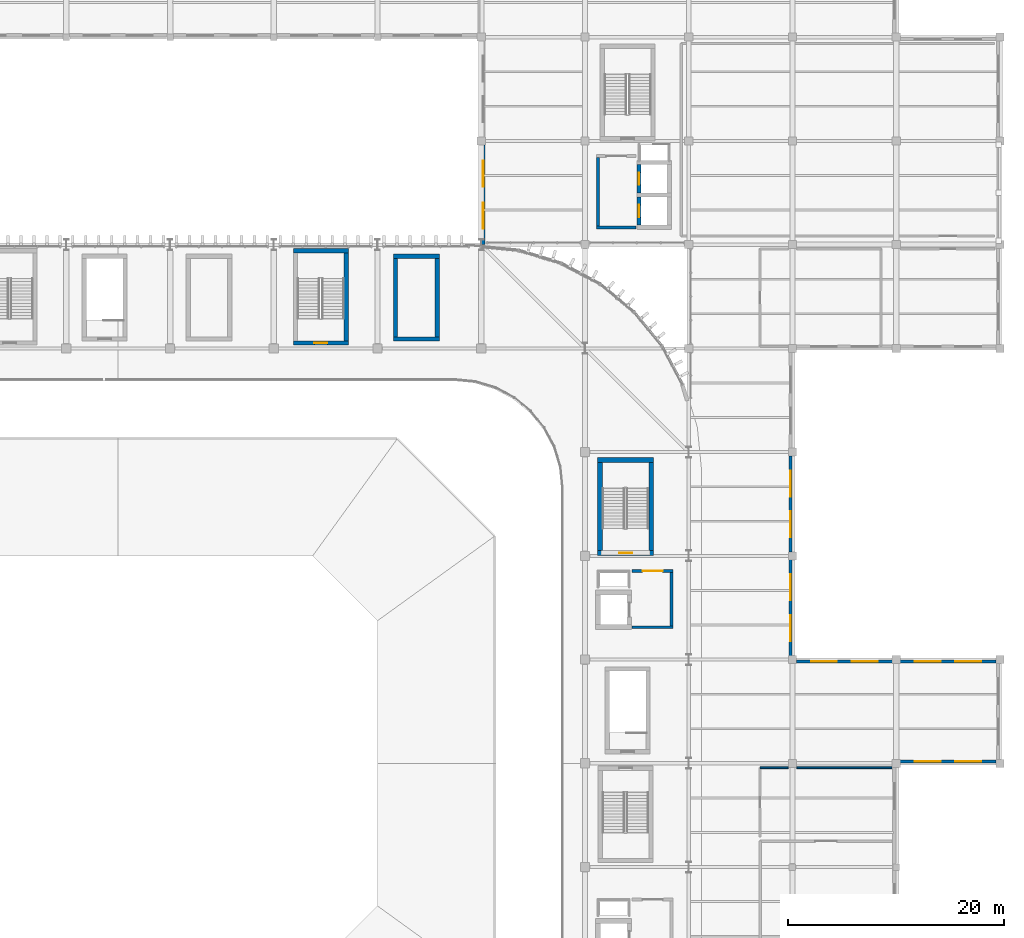
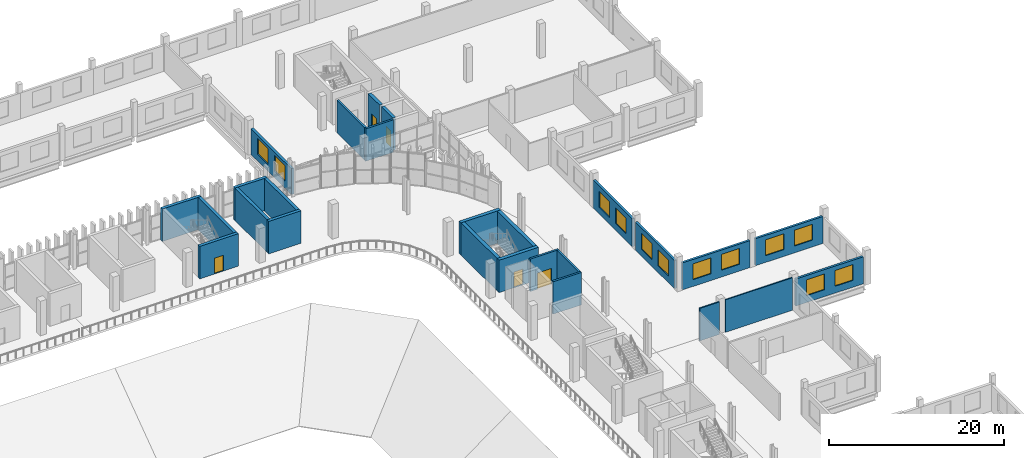
# One storey, part 65 of 99: 26 walls, 12 windows, 5 doors, 17 openings.
"""IFC4 building model written with IfcOpenShell, lengths in metres."""

from ifc_helpers import new_model, si_unit, direction, frame, frame_2d, origin, place, context, subcontext, project, spatial, rectangle, extrude, material, layer, layer_set, type_object, element, fill, save


model = new_model("IFC4")

# Units and contexts
model_context = context("Model", 3, precision=1e-05, world=origin(), true_north=direction((0.0, 1.0)))
body_context = subcontext(model_context, "Body", "Model", "MODEL_VIEW")
ifc_project = project(units=[si_unit("LENGTHUNIT", "METRE"), si_unit("AREAUNIT", "SQUARE_METRE"), si_unit("VOLUMEUNIT", "CUBIC_METRE"), si_unit("PLANEANGLEUNIT", "RADIAN"), si_unit("MASSUNIT", "GRAM", prefix="KILO")], contexts=[model_context])

# Site, building, storey
site_placement = place(None, origin())
site = spatial("IfcSite", under=ifc_project, at=site_placement, CompositionType="ELEMENT")
building_placement = place(site_placement, origin())
building = spatial("IfcBuilding", under=site, at=building_placement, Name="Caelomonte Colonnade Arena", CompositionType="ELEMENT")
storey_placement = place(building_placement, frame((0.0, 0.0, 4.800048828125)))
storey = spatial("IfcBuildingStorey", under=building, at=storey_placement, Name="L01", CompositionType="ELEMENT", Elevation=4.800048828125)

# Wall, openings, windows
ifc_material_1 = material(Name="Precast concrete C40/50", Category="concrete")
ifc_layer_1 = layer(ifc_material_1, 0.2900390625)
ifc_layer_set_1 = layer_set([ifc_layer_1], Name="Precast concrete C40/50")
wall_type_1 = type_object("IfcWallType", Name="ENV-WL-EXT29", PredefinedType="SOLIDWALL", material=ifc_layer_set_1)
wall_1_placement = place(storey_placement, frame((182.7548828125, 67.3798828125, 0.0), z_axis=(0.0, 0.0, 1.0), x_axis=(1.0, 0.0, 0.0)))
wall_1 = element("IfcWall", 1, at=wall_1_placement, inside=storey, type_object=wall_type_1, Name="L01 exterior wall EW-L01-0193", PredefinedType="SOLIDWALL", context=body_context, shape_type="SweptSolid", body=[
    extrude(rectangle(XDim=8.89013671875, YDim=0.2900390625, at=frame_2d((4.445068359375, 0.0))), origin(), (0.0, 0.0, 1.0), 3.758056640625),
])
opening_1_placement = place(wall_1_placement, frame((3.76318359375, 0.0, 0.949951171875), z_axis=(0.0, 0.0, 1.0), x_axis=(-1.0, 0.0, 0.0)))
opening_1 = element("IfcOpeningElement", 2, at=opening_1_placement, cuts=wall_1, Name="Opening WN-04", PredefinedType="OPENING", context=body_context, shape_type="SweptSolid", body=[
    extrude(rectangle(XDim=2.39990234375, YDim=2.199951171875, at=frame_2d((1.199951171875, 1.10009765625))), frame((0.0, 0.155029296875, 0.0), z_axis=(0.0, -1.0, 0.0), x_axis=(1.0, 0.0, 0.0)), (0.0, 0.0, 1.0), 0.31005859375),
])
opening_2_placement = place(wall_1_placement, frame((7.526611328125, 0.0, 0.949951171875), z_axis=(0.0, 0.0, 1.0), x_axis=(-1.0, 0.0, 0.0)))
opening_2 = element("IfcOpeningElement", 3, at=opening_2_placement, cuts=wall_1, Name="Opening WN-04", PredefinedType="OPENING", context=body_context, shape_type="SweptSolid", body=[
    extrude(rectangle(XDim=2.39990234375, YDim=2.199951171875, at=frame_2d((1.199951171875, 1.10009765625))), frame((0.0, 0.155029296875, 0.0), z_axis=(0.0, -1.0, 0.0), x_axis=(1.0, 0.0, 0.0)), (0.0, 0.0, 1.0), 0.31005859375),
])
ifc_material_2 = material(Name="Solar-control bronze low-E double glazing", Category="glass")
window_type = type_object("IfcWindowType", Name="ENV-WN-V4A", PartitioningType="DOUBLE_PANEL_VERTICAL", PredefinedType="WINDOW", material=ifc_material_2)
window_1_placement = place(opening_1_placement, origin())
window_1 = element("IfcWindow", 4, at=window_1_placement, inside=storey, type_object=window_type, Name="L01 facade window 86", OverallHeight=2.199951171875, OverallWidth=2.39990234375, PartitioningType="SINGLE_PANEL", PredefinedType="WINDOW", context=body_context, shape_type="SweptSolid", body=[
    extrude(rectangle(XDim=2.39990234375, YDim=2.199951171875, at=frame_2d((1.199951171875, 1.10009765625))), frame((0.0, 0.030029296875, 0.0), z_axis=(0.0, -1.0, 0.0), x_axis=(1.0, 0.0, 0.0)), (0.0, 0.0, 1.0), 0.06005859375),
])
fill(opening_1, window_1)
window_2_placement = place(opening_2_placement, origin())
window_2 = element("IfcWindow", 5, at=window_2_placement, inside=storey, type_object=window_type, Name="L01 facade window 87", OverallHeight=2.199951171875, OverallWidth=2.39990234375, PartitioningType="SINGLE_PANEL", PredefinedType="WINDOW", context=body_context, shape_type="SweptSolid", body=[
    extrude(rectangle(XDim=2.39990234375, YDim=2.199951171875, at=frame_2d((1.199951171875, 1.10009765625))), frame((0.0, 0.030029296875, 0.0), z_axis=(0.0, -1.0, 0.0), x_axis=(1.0, 0.0, 0.0)), (0.0, 0.0, 1.0), 0.06005859375),
])
fill(opening_2, window_2)

wall_2_placement = place(storey_placement, frame((191.64501953125, 76.6201171875, 0.0), z_axis=(0.0, 0.0, 1.0), x_axis=(-1.0, 0.0, 0.0)))
wall_2 = element("IfcWall", 6, at=wall_2_placement, inside=storey, type_object=wall_type_1, Name="L01 exterior wall EW-L01-0195", PredefinedType="SOLIDWALL", context=body_context, shape_type="SweptSolid", body=[
    extrude(rectangle(XDim=8.89013671875, YDim=0.2900390625, at=frame_2d((4.445068359375, 0.0))), origin(), (0.0, 0.0, 1.0), 3.758056640625),
])
opening_3_placement = place(wall_2_placement, frame((3.76318359375, 0.0, 0.949951171875), z_axis=(0.0, 0.0, 1.0), x_axis=(-1.0, 0.0, 0.0)))
opening_3 = element("IfcOpeningElement", 7, at=opening_3_placement, cuts=wall_2, Name="Opening WN-04", PredefinedType="OPENING", context=body_context, shape_type="SweptSolid", body=[
    extrude(rectangle(XDim=2.39990234375, YDim=2.199951171875, at=frame_2d((1.199951171875, 1.10009765625))), frame((0.0, 0.155029296875, 0.0), z_axis=(0.0, -1.0, 0.0), x_axis=(1.0, 0.0, 0.0)), (0.0, 0.0, 1.0), 0.31005859375),
])
opening_4_placement = place(wall_2_placement, frame((7.526611328125, 0.0, 0.949951171875), z_axis=(0.0, 0.0, 1.0), x_axis=(-1.0, 0.0, 0.0)))
opening_4 = element("IfcOpeningElement", 8, at=opening_4_placement, cuts=wall_2, Name="Opening WN-04", PredefinedType="OPENING", context=body_context, shape_type="SweptSolid", body=[
    extrude(rectangle(XDim=2.39990234375, YDim=2.199951171875, at=frame_2d((1.199951171875, 1.10009765625))), frame((0.0, 0.155029296875, 0.0), z_axis=(0.0, -1.0, 0.0), x_axis=(1.0, 0.0, 0.0)), (0.0, 0.0, 1.0), 0.31005859375),
])
window_3_placement = place(opening_3_placement, origin())
window_3 = element("IfcWindow", 9, at=window_3_placement, inside=storey, type_object=window_type, Name="L01 facade window 90", OverallHeight=2.199951171875, OverallWidth=2.39990234375, PartitioningType="SINGLE_PANEL", PredefinedType="WINDOW", context=body_context, shape_type="SweptSolid", body=[
    extrude(rectangle(XDim=2.39990234375, YDim=2.199951171875, at=frame_2d((1.199951171875, 1.10009765625))), frame((0.0, 0.030029296875, 0.0), z_axis=(0.0, -1.0, 0.0), x_axis=(1.0, 0.0, 0.0)), (0.0, 0.0, 1.0), 0.06005859375),
])
fill(opening_3, window_3)
window_4_placement = place(opening_4_placement, origin())
window_4 = element("IfcWindow", 10, at=window_4_placement, inside=storey, type_object=window_type, Name="L01 facade window 91", OverallHeight=2.199951171875, OverallWidth=2.39990234375, PartitioningType="SINGLE_PANEL", PredefinedType="WINDOW", context=body_context, shape_type="SweptSolid", body=[
    extrude(rectangle(XDim=2.39990234375, YDim=2.199951171875, at=frame_2d((1.199951171875, 1.10009765625))), frame((0.0, 0.030029296875, 0.0), z_axis=(0.0, -1.0, 0.0), x_axis=(1.0, 0.0, 0.0)), (0.0, 0.0, 1.0), 0.06005859375),
])
fill(opening_4, window_4)

wall_3_placement = place(storey_placement, frame((182.044921875, 76.6201171875, 0.0), z_axis=(0.0, 0.0, 1.0), x_axis=(-1.0, 0.0, 0.0)))
wall_3 = element("IfcWall", 11, at=wall_3_placement, inside=storey, type_object=wall_type_1, Name="L01 exterior wall EW-L01-0196", PredefinedType="SOLIDWALL", context=body_context, shape_type="SweptSolid", body=[
    extrude(rectangle(XDim=8.889892578125, YDim=0.2900390625, at=frame_2d((4.44482421875, 0.0))), origin(), (0.0, 0.0, 1.0), 3.758056640625),
])
opening_5_placement = place(wall_3_placement, frame((3.76318359375, 0.0, 0.949951171875), z_axis=(0.0, 0.0, 1.0), x_axis=(-1.0, 0.0, 0.0)))
opening_5 = element("IfcOpeningElement", 12, at=opening_5_placement, cuts=wall_3, Name="Opening WN-04", PredefinedType="OPENING", context=body_context, shape_type="SweptSolid", body=[
    extrude(rectangle(XDim=2.39990234375, YDim=2.199951171875, at=frame_2d((1.199951171875, 1.10009765625))), frame((0.0, 0.155029296875, 0.0), z_axis=(0.0, -1.0, 0.0), x_axis=(1.0, 0.0, 0.0)), (0.0, 0.0, 1.0), 0.31005859375),
])
opening_6_placement = place(wall_3_placement, frame((7.526611328125, 0.0, 0.949951171875), z_axis=(0.0, 0.0, 1.0), x_axis=(-1.0, 0.0, 0.0)))
opening_6 = element("IfcOpeningElement", 13, at=opening_6_placement, cuts=wall_3, Name="Opening WN-04", PredefinedType="OPENING", context=body_context, shape_type="SweptSolid", body=[
    extrude(rectangle(XDim=2.39990234375, YDim=2.199951171875, at=frame_2d((1.199951171875, 1.10009765625))), frame((0.0, 0.155029296875, 0.0), z_axis=(0.0, -1.0, 0.0), x_axis=(1.0, 0.0, 0.0)), (0.0, 0.0, 1.0), 0.31005859375),
])
window_5_placement = place(opening_5_placement, origin())
window_5 = element("IfcWindow", 14, at=window_5_placement, inside=storey, type_object=window_type, Name="L01 facade window 92", OverallHeight=2.199951171875, OverallWidth=2.39990234375, PartitioningType="SINGLE_PANEL", PredefinedType="WINDOW", context=body_context, shape_type="SweptSolid", body=[
    extrude(rectangle(XDim=2.39990234375, YDim=2.199951171875, at=frame_2d((1.199951171875, 1.10009765625))), frame((0.0, 0.030029296875, 0.0), z_axis=(0.0, -1.0, 0.0), x_axis=(1.0, 0.0, 0.0)), (0.0, 0.0, 1.0), 0.06005859375),
])
fill(opening_5, window_5)
window_6_placement = place(opening_6_placement, origin())
window_6 = element("IfcWindow", 15, at=window_6_placement, inside=storey, type_object=window_type, Name="L01 facade window 93", OverallHeight=2.199951171875, OverallWidth=2.39990234375, PartitioningType="SINGLE_PANEL", PredefinedType="WINDOW", context=body_context, shape_type="SweptSolid", body=[
    extrude(rectangle(XDim=2.39990234375, YDim=2.199951171875, at=frame_2d((1.199951171875, 1.10009765625))), frame((0.0, 0.030029296875, 0.0), z_axis=(0.0, -1.0, 0.0), x_axis=(1.0, 0.0, 0.0)), (0.0, 0.0, 1.0), 0.06005859375),
])
fill(opening_6, window_6)

wall_4_placement = place(storey_placement, frame((172.6201171875, 77.155029296875, 0.0), z_axis=(0.0, 0.0, 1.0), x_axis=(0.0, 1.0, 0.0)))
wall_4 = element("IfcWall", 16, at=wall_4_placement, inside=storey, type_object=wall_type_1, Name="L01 exterior wall EW-L01-0197", PredefinedType="SOLIDWALL", context=body_context, shape_type="SweptSolid", body=[
    extrude(rectangle(XDim=8.889892578125, YDim=0.2900390625, at=frame_2d((4.44482421875, 0.0))), origin(), (0.0, 0.0, 1.0), 3.912841796875),
])
opening_7_placement = place(wall_4_placement, frame((3.76318359375, 0.0, 0.949951171875), z_axis=(0.0, 0.0, 1.0), x_axis=(-1.0, 0.0, 0.0)))
opening_7 = element("IfcOpeningElement", 17, at=opening_7_placement, cuts=wall_4, Name="Opening WN-04", PredefinedType="OPENING", context=body_context, shape_type="SweptSolid", body=[
    extrude(rectangle(XDim=2.39990234375, YDim=2.199951171875, at=frame_2d((1.199951171875, 1.10009765625))), frame((0.0, 0.155029296875, 0.0), z_axis=(0.0, -1.0, 0.0), x_axis=(1.0, 0.0, 0.0)), (0.0, 0.0, 1.0), 0.31005859375),
])
opening_8_placement = place(wall_4_placement, frame((7.526611328125, 0.0, 0.949951171875), z_axis=(0.0, 0.0, 1.0), x_axis=(-1.0, 0.0, 0.0)))
opening_8 = element("IfcOpeningElement", 18, at=opening_8_placement, cuts=wall_4, Name="Opening WN-04", PredefinedType="OPENING", context=body_context, shape_type="SweptSolid", body=[
    extrude(rectangle(XDim=2.39990234375, YDim=2.199951171875, at=frame_2d((1.199951171875, 1.10009765625))), frame((0.0, 0.155029296875, 0.0), z_axis=(0.0, -1.0, 0.0), x_axis=(1.0, 0.0, 0.0)), (0.0, 0.0, 1.0), 0.31005859375),
])
window_7_placement = place(opening_7_placement, origin())
window_7 = element("IfcWindow", 19, at=window_7_placement, inside=storey, type_object=window_type, Name="L01 facade window 94", OverallHeight=2.199951171875, OverallWidth=2.39990234375, PartitioningType="SINGLE_PANEL", PredefinedType="WINDOW", context=body_context, shape_type="SweptSolid", body=[
    extrude(rectangle(XDim=2.39990234375, YDim=2.199951171875, at=frame_2d((1.199951171875, 1.10009765625))), frame((0.0, 0.030029296875, 0.0), z_axis=(0.0, -1.0, 0.0), x_axis=(1.0, 0.0, 0.0)), (0.0, 0.0, 1.0), 0.06005859375),
])
fill(opening_7, window_7)
window_8_placement = place(opening_8_placement, origin())
window_8 = element("IfcWindow", 20, at=window_8_placement, inside=storey, type_object=window_type, Name="L01 facade window 95", OverallHeight=2.199951171875, OverallWidth=2.39990234375, PartitioningType="SINGLE_PANEL", PredefinedType="WINDOW", context=body_context, shape_type="SweptSolid", body=[
    extrude(rectangle(XDim=2.39990234375, YDim=2.199951171875, at=frame_2d((1.199951171875, 1.10009765625))), frame((0.0, 0.030029296875, 0.0), z_axis=(0.0, -1.0, 0.0), x_axis=(1.0, 0.0, 0.0)), (0.0, 0.0, 1.0), 0.06005859375),
])
fill(opening_8, window_8)

wall_5_placement = place(storey_placement, frame((172.6201171875, 86.7548828125, 0.0), z_axis=(0.0, 0.0, 1.0), x_axis=(0.0, 1.0, 0.0)))
wall_5 = element("IfcWall", 21, at=wall_5_placement, inside=storey, type_object=wall_type_1, Name="L01 exterior wall EW-L01-0198", PredefinedType="SOLIDWALL", context=body_context, shape_type="SweptSolid", body=[
    extrude(rectangle(XDim=8.89013671875, YDim=0.2900390625, at=frame_2d((4.445068359375, 0.0))), origin(), (0.0, 0.0, 1.0), 3.912841796875),
])
opening_9_placement = place(wall_5_placement, frame((3.76318359375, 0.0, 0.949951171875), z_axis=(0.0, 0.0, 1.0), x_axis=(-1.0, 0.0, 0.0)))
opening_9 = element("IfcOpeningElement", 22, at=opening_9_placement, cuts=wall_5, Name="Opening WN-04", PredefinedType="OPENING", context=body_context, shape_type="SweptSolid", body=[
    extrude(rectangle(XDim=2.39990234375, YDim=2.199951171875, at=frame_2d((1.199951171875, 1.10009765625))), frame((0.0, 0.155029296875, 0.0), z_axis=(0.0, -1.0, 0.0), x_axis=(1.0, 0.0, 0.0)), (0.0, 0.0, 1.0), 0.31005859375),
])
opening_10_placement = place(wall_5_placement, frame((7.526611328125, 0.0, 0.949951171875), z_axis=(0.0, 0.0, 1.0), x_axis=(-1.0, 0.0, 0.0)))
opening_10 = element("IfcOpeningElement", 23, at=opening_10_placement, cuts=wall_5, Name="Opening WN-04", PredefinedType="OPENING", context=body_context, shape_type="SweptSolid", body=[
    extrude(rectangle(XDim=2.39990234375, YDim=2.199951171875, at=frame_2d((1.199951171875, 1.10009765625))), frame((0.0, 0.155029296875, 0.0), z_axis=(0.0, -1.0, 0.0), x_axis=(1.0, 0.0, 0.0)), (0.0, 0.0, 1.0), 0.31005859375),
])
window_9_placement = place(opening_9_placement, origin())
window_9 = element("IfcWindow", 24, at=window_9_placement, inside=storey, type_object=window_type, Name="L01 facade window 96", OverallHeight=2.199951171875, OverallWidth=2.39990234375, PartitioningType="SINGLE_PANEL", PredefinedType="WINDOW", context=body_context, shape_type="SweptSolid", body=[
    extrude(rectangle(XDim=2.39990234375, YDim=2.199951171875, at=frame_2d((1.199951171875, 1.10009765625))), frame((0.0, 0.030029296875, 0.0), z_axis=(0.0, -1.0, 0.0), x_axis=(1.0, 0.0, 0.0)), (0.0, 0.0, 1.0), 0.06005859375),
])
fill(opening_9, window_9)
window_10_placement = place(opening_10_placement, origin())
window_10 = element("IfcWindow", 25, at=window_10_placement, inside=storey, type_object=window_type, Name="L01 facade window 97", OverallHeight=2.199951171875, OverallWidth=2.39990234375, PartitioningType="SINGLE_PANEL", PredefinedType="WINDOW", context=body_context, shape_type="SweptSolid", body=[
    extrude(rectangle(XDim=2.39990234375, YDim=2.199951171875, at=frame_2d((1.199951171875, 1.10009765625))), frame((0.0, 0.030029296875, 0.0), z_axis=(0.0, -1.0, 0.0), x_axis=(1.0, 0.0, 0.0)), (0.0, 0.0, 1.0), 0.06005859375),
])
fill(opening_10, window_10)

ifc_layer_2 = layer(ifc_material_1, 0.330078125)
ifc_layer_set_2 = layer_set([ifc_layer_2], Name="Precast concrete C40/50")
wall_type_2 = type_object("IfcWallType", Name="ENV-WL-EXT33", PredefinedType="SOLIDWALL", material=ifc_layer_set_2)
wall_6_placement = place(storey_placement, frame((144.179931640625, 124.445068359375, 0.0), z_axis=(0.0, 0.0, 1.0), x_axis=(0.0, -1.0, 0.0)))
wall_6 = element("IfcWall", 26, at=wall_6_placement, inside=storey, type_object=wall_type_2, Name="L01 exterior wall EW-L01-0234", PredefinedType="SOLIDWALL", context=body_context, shape_type="SweptSolid", body=[
    extrude(rectangle(XDim=9.2451171875, YDim=0.330078125, at=frame_2d((4.62255859375, 0.0))), origin(), (0.0, 0.0, 1.0), 3.593017578125),
])
opening_11_placement = place(wall_6_placement, frame((3.881591796875, 0.0, 0.949951171875), z_axis=(0.0, 0.0, 1.0), x_axis=(-1.0, 0.0, 0.0)))
opening_11 = element("IfcOpeningElement", 27, at=opening_11_placement, cuts=wall_6, Name="Opening WN-04", PredefinedType="OPENING", context=body_context, shape_type="SweptSolid", body=[
    extrude(rectangle(XDim=2.39990234375, YDim=2.199951171875, at=frame_2d((1.199951171875, 1.10009765625))), frame((0.0, 0.175048828125, 0.0), z_axis=(0.0, -1.0, 0.0), x_axis=(1.0, 0.0, 0.0)), (0.0, 0.0, 1.0), 0.35009765625),
])
opening_12_placement = place(wall_6_placement, frame((7.76318359375, 0.0, 0.949951171875), z_axis=(0.0, 0.0, 1.0), x_axis=(-1.0, 0.0, 0.0)))
opening_12 = element("IfcOpeningElement", 28, at=opening_12_placement, cuts=wall_6, Name="Opening WN-04", PredefinedType="OPENING", context=body_context, shape_type="SweptSolid", body=[
    extrude(rectangle(XDim=2.39990234375, YDim=2.199951171875, at=frame_2d((1.199951171875, 1.10009765625))), frame((0.0, 0.175048828125, 0.0), z_axis=(0.0, -1.0, 0.0), x_axis=(1.0, 0.0, 0.0)), (0.0, 0.0, 1.0), 0.35009765625),
])
window_11_placement = place(opening_11_placement, origin())
window_11 = element("IfcWindow", 29, at=window_11_placement, inside=storey, type_object=window_type, Name="L01 facade window 151", OverallHeight=2.199951171875, OverallWidth=2.39990234375, PartitioningType="SINGLE_PANEL", PredefinedType="WINDOW", context=body_context, shape_type="SweptSolid", body=[
    extrude(rectangle(XDim=2.39990234375, YDim=2.199951171875, at=frame_2d((1.199951171875, 1.10009765625))), frame((0.0, 0.030029296875, 0.0), z_axis=(0.0, -1.0, 0.0), x_axis=(1.0, 0.0, 0.0)), (0.0, 0.0, 1.0), 0.06005859375),
])
fill(opening_11, window_11)
window_12_placement = place(opening_12_placement, origin())
window_12 = element("IfcWindow", 30, at=window_12_placement, inside=storey, type_object=window_type, Name="L01 facade window 152", OverallHeight=2.199951171875, OverallWidth=2.39990234375, PartitioningType="SINGLE_PANEL", PredefinedType="WINDOW", context=body_context, shape_type="SweptSolid", body=[
    extrude(rectangle(XDim=2.39990234375, YDim=2.199951171875, at=frame_2d((1.199951171875, 1.10009765625))), frame((0.0, 0.030029296875, 0.0), z_axis=(0.0, -1.0, 0.0), x_axis=(1.0, 0.0, 0.0)), (0.0, 0.0, 1.0), 0.06005859375),
])
fill(opening_12, window_12)

# Wall
ifc_material_3 = material(Name="Concrete C40/50", Category="concrete")
ifc_layer_3 = layer(ifc_material_3, 0.260009765625)
ifc_layer_set_3 = layer_set([ifc_layer_3], Name="Concrete C40/50")
wall_type_3 = type_object("IfcWallType", Name="INT-WL-FW26", PredefinedType="SOLIDWALL", material=ifc_layer_set_3)
wall_7_placement = place(storey_placement, frame((157.969970703125, 79.800048828125, 0.0), z_axis=(0.0, 0.0, 1.0), x_axis=(1.0, 0.0, 0.0)))
element("IfcWall", 31, at=wall_7_placement, inside=storey, type_object=wall_type_3, Name="FW-C3-LB L01 south enclosure wall", PredefinedType="SOLIDWALL", context=body_context, shape_type="SweptSolid", body=[
    extrude(rectangle(XDim=3.760009765625, YDim=0.260009765625, at=frame_2d((1.8798828125, 0.0))), origin(), (0.0, 0.0, 1.0), 4.52001953125),
])

# Wall, opening, door
wall_8_placement = place(storey_placement, frame((161.72998046875, 85.0, 0.0), z_axis=(0.0, 0.0, 1.0), x_axis=(-1.0, 0.0, 0.0)))
wall_8 = element("IfcWall", 32, at=wall_8_placement, inside=storey, type_object=wall_type_3, Name="FW-C3-LB L01 north enclosure wall", PredefinedType="SOLIDWALL", context=body_context, shape_type="SweptSolid", body=[
    extrude(rectangle(XDim=3.760009765625, YDim=0.260009765625, at=frame_2d((1.8798828125, 0.0))), origin(), (0.0, 0.0, 1.0), 4.52001953125),
])
opening_13_placement = place(wall_8_placement, frame((2.80517578125, 0.0, 0.0), z_axis=(0.0, 0.0, 1.0), x_axis=(-1.0, 0.0, 0.0)))
opening_13 = element("IfcOpeningElement", 33, at=opening_13_placement, cuts=wall_8, Name="Opening FD-2", PredefinedType="OPENING", context=body_context, shape_type="SweptSolid", body=[
    extrude(rectangle(XDim=1.85009765625, YDim=2.25, at=frame_2d((0.925048828125, 1.125))), frame((0.0, 0.139892578125, 0.0), z_axis=(0.0, -1.0, 0.0), x_axis=(1.0, 0.0, 0.0)), (0.0, 0.0, 1.0), 0.280029296875),
])
ifc_material_4 = material(Name="Fire-rated double steel door", Category="steel")
door_type_1 = type_object("IfcDoorType", Name="INT-DR-FD90B", OperationType="DOUBLE_DOOR_SINGLE_SWING", PredefinedType="DOOR", material=ifc_material_4)
door_1_placement = place(opening_13_placement, origin())
door_1 = element("IfcDoor", 34, at=door_1_placement, inside=storey, type_object=door_type_1, Name="Core C3 L01 lobby fire door", OperationType="DOUBLE_DOOR_SINGLE_SWING", OverallHeight=2.25, OverallWidth=1.85009765625, PredefinedType="DOOR", context=body_context, shape_type="SweptSolid", body=[
    extrude(rectangle(XDim=1.85009765625, YDim=2.25, at=frame_2d((0.925048828125, 1.125))), frame((0.0, 0.02490234375, 0.0), z_axis=(0.0, -1.0, 0.0), x_axis=(1.0, 0.0, 0.0)), (0.0, 0.0, 1.0), 0.050048828125),
])
fill(opening_13, door_1)

# Walls
wall_9_placement = place(storey_placement, frame((161.60009765625, 79.929931640625, 0.0), z_axis=(0.0, 0.0, 1.0), x_axis=(0.0, 1.0, 0.0)))
element("IfcWall", 35, at=wall_9_placement, inside=storey, type_object=wall_type_3, Name="FW-C3-LB L01 east enclosure wall", PredefinedType="SOLIDWALL", context=body_context, shape_type="SweptSolid", body=[
    extrude(rectangle(XDim=4.940185546875, YDim=0.260009765625, at=frame_2d((2.47021484375, 0.0))), origin(), (0.0, 0.0, 1.0), 4.52001953125),
])
wall_10_placement = place(storey_placement, frame((154.669921875, 116.800048828125, 0.0), z_axis=(0.0, 0.0, 1.0), x_axis=(1.0, 0.0, 0.0)))
element("IfcWall", 36, at=wall_10_placement, inside=storey, type_object=wall_type_3, Name="FW-C6-LB L01 south enclosure wall", PredefinedType="SOLIDWALL", context=body_context, shape_type="SweptSolid", body=[
    extrude(rectangle(XDim=3.66015625, YDim=0.260009765625, at=frame_2d((1.830078125, 0.0))), origin(), (0.0, 0.0, 1.0), 4.52001953125),
])
wall_11_placement = place(storey_placement, frame((154.800048828125, 123.27001953125, 0.0), z_axis=(0.0, 0.0, 1.0), x_axis=(0.0, -1.0, 0.0)))
element("IfcWall", 37, at=wall_11_placement, inside=storey, type_object=wall_type_3, Name="FW-C6-LB L01 west enclosure wall", PredefinedType="SOLIDWALL", context=body_context, shape_type="SweptSolid", body=[
    extrude(rectangle(XDim=6.340087890625, YDim=0.260009765625, at=frame_2d((3.169921875, 0.0))), origin(), (0.0, 0.0, 1.0), 4.52001953125),
])
ifc_material_5 = material(Name="Moisture-resistant WC partition")
ifc_layer_4 = layer(ifc_material_5, 0.159912109375)
ifc_layer_set_4 = layer_set([ifc_layer_4], Name="Moisture-resistant WC partition")
wall_type_4 = type_object("IfcWallType", Name="INT-WL-PT16", PredefinedType="PARTITIONING", material=ifc_layer_set_4)
wall_12_placement = place(storey_placement, frame((169.800048828125, 66.800048828125, 0.0), z_axis=(0.0, 0.0, 1.0), x_axis=(1.0, 0.0, 0.0)))
element("IfcWall", 38, at=wall_12_placement, inside=storey, type_object=wall_type_4, Name="L01 Main Concourse Restroom partition 126", PredefinedType="PARTITIONING", context=body_context, shape_type="SweptSolid", body=[
    extrude(rectangle(XDim=2.592529296875, YDim=0.159912109375, at=frame_2d((1.29638671875, 0.0))), origin(), (0.0, 0.0, 1.0), 4.52001953125),
])
wall_13_placement = place(storey_placement, frame((173.207275390625, 66.800048828125, 0.0), z_axis=(0.0, 0.0, 1.0), x_axis=(1.0, 0.0, 0.0)))
element("IfcWall", 39, at=wall_13_placement, inside=storey, type_object=wall_type_4, Name="L01 Main Concourse Restroom partition 127", PredefinedType="PARTITIONING", context=body_context, shape_type="SweptSolid", body=[
    extrude(rectangle(XDim=8.785400390625, YDim=0.159912109375, at=frame_2d((4.392578125, 0.0))), origin(), (0.0, 0.0, 1.0), 4.52001953125),
])

# Wall, opening, door
ifc_material_6 = material(Name="Concrete C50/60", Category="concrete")
ifc_layer_5 = layer(ifc_material_6, 0.39990234375)
ifc_layer_set_5 = layer_set([ifc_layer_5], Name="Concrete C50/60")
wall_type_5 = type_object("IfcWallType", Name="INT-WL-SH40", PredefinedType="SHEAR", material=ifc_layer_set_5)
wall_14_placement = place(storey_placement, frame((158.60009765625, 119.60009765625, 0.0), z_axis=(0.0, 0.0, 1.0), x_axis=(0.0, -1.0, 0.0)))
wall_14 = element("IfcWall", 40, at=wall_14_placement, inside=storey, type_object=wall_type_5, Name="CW-C6-LF L01 west enclosure wall", PredefinedType="SHEAR", context=body_context, shape_type="SweptSolid", body=[
    extrude(rectangle(XDim=2.60009765625, YDim=0.39990234375, at=frame_2d((1.300048828125, 0.0))), origin(), (0.0, 0.0, 1.0), 4.52001953125),
])
opening_14_placement = place(wall_14_placement, frame((0.72509765625, 0.0, 0.0), z_axis=(0.0, 0.0, 1.0), x_axis=(1.0, 0.0, 0.0)))
opening_14 = element("IfcOpeningElement", 41, at=opening_14_placement, cuts=wall_14, Name="Opening LD-LF-03-L01", PredefinedType="OPENING", context=body_context, shape_type="SweptSolid", body=[
    extrude(rectangle(XDim=1.14990234375, YDim=2.199951171875, at=frame_2d((0.574951171875, 1.10009765625))), frame((0.0, 0.2099609375, 0.0), z_axis=(0.0, -1.0, 0.0), x_axis=(1.0, 0.0, 0.0)), (0.0, 0.0, 1.0), 0.419921875),
])
ifc_material_7 = material(Name="Stainless steel lift landing door", Category="steel")
door_type_2 = type_object("IfcDoorType", Name="INT-DR-LD1", OperationType="SLIDING_TO_LEFT", PredefinedType="DOOR", material=ifc_material_7)
door_2_placement = place(opening_14_placement, origin())
door_2 = element("IfcDoor", 42, at=door_2_placement, inside=storey, type_object=door_type_2, Name="Lift LF-03 L01 sliding landing door", OperationType="SLIDING_TO_LEFT", OverallHeight=2.199951171875, OverallWidth=1.14990234375, PredefinedType="DOOR", context=body_context, shape_type="SweptSolid", body=[
    extrude(rectangle(XDim=1.14990234375, YDim=2.199951171875, at=frame_2d((0.574951171875, 1.10009765625))), frame((0.0, 0.02490234375, 0.0), z_axis=(0.0, -1.0, 0.0), x_axis=(1.0, 0.0, 0.0)), (0.0, 0.0, 1.0), 0.050048828125),
])
fill(opening_14, door_2)

wall_15_placement = place(storey_placement, frame((158.60009765625, 122.60009765625, 0.0), z_axis=(0.0, 0.0, 1.0), x_axis=(0.0, -1.0, 0.0)))
wall_15 = element("IfcWall", 43, at=wall_15_placement, inside=storey, type_object=wall_type_5, Name="CW-C6-LF2 L01 west enclosure wall", PredefinedType="SHEAR", context=body_context, shape_type="SweptSolid", body=[
    extrude(rectangle(XDim=2.60009765625, YDim=0.39990234375, at=frame_2d((1.300048828125, 0.0))), origin(), (0.0, 0.0, 1.0), 4.52001953125),
])
opening_15_placement = place(wall_15_placement, frame((0.72509765625, 0.0, 0.0), z_axis=(0.0, 0.0, 1.0), x_axis=(1.0, 0.0, 0.0)))
opening_15 = element("IfcOpeningElement", 44, at=opening_15_placement, cuts=wall_15, Name="Opening LD-LF-04-L01", PredefinedType="OPENING", context=body_context, shape_type="SweptSolid", body=[
    extrude(rectangle(XDim=1.14990234375, YDim=2.199951171875, at=frame_2d((0.574951171875, 1.10009765625))), frame((0.0, 0.2099609375, 0.0), z_axis=(0.0, -1.0, 0.0), x_axis=(1.0, 0.0, 0.0)), (0.0, 0.0, 1.0), 0.419921875),
])
door_3_placement = place(opening_15_placement, origin())
door_3 = element("IfcDoor", 45, at=door_3_placement, inside=storey, type_object=door_type_2, Name="Lift LF-04 L01 sliding landing door", OperationType="SLIDING_TO_LEFT", OverallHeight=2.199951171875, OverallWidth=1.14990234375, PredefinedType="DOOR", context=body_context, shape_type="SweptSolid", body=[
    extrude(rectangle(XDim=1.14990234375, YDim=2.199951171875, at=frame_2d((0.574951171875, 1.10009765625))), frame((0.0, 0.02490234375, 0.0), z_axis=(0.0, -1.0, 0.0), x_axis=(1.0, 0.0, 0.0)), (0.0, 0.0, 1.0), 0.050048828125),
])
fill(opening_15, door_3)

wall_16_placement = place(storey_placement, frame((126.60009765625, 106.10009765625, 0.0), z_axis=(0.0, 0.0, 1.0), x_axis=(1.0, 0.0, 0.0)))
wall_16 = element("IfcWall", 46, at=wall_16_placement, inside=storey, type_object=wall_type_5, Name="CW-ST-16 L01 south enclosure wall", PredefinedType="SHEAR", context=body_context, shape_type="SweptSolid", body=[
    extrude(rectangle(XDim=5.099853515625, YDim=0.39990234375, at=frame_2d((2.5498046875, 0.0))), origin(), (0.0, 0.0, 1.0), 4.52001953125),
])
opening_16_placement = place(wall_16_placement, frame((3.14990234375, 0.0, 0.0), z_axis=(0.0, 0.0, 1.0), x_axis=(-1.0, 0.0, 0.0)))
opening_16 = element("IfcOpeningElement", 47, at=opening_16_placement, cuts=wall_16, Name="Opening FD-1", PredefinedType="OPENING", context=body_context, shape_type="SweptSolid", body=[
    extrude(rectangle(XDim=1.199951171875, YDim=2.199951171875, at=frame_2d((0.60009765625, 1.10009765625))), frame((0.0, 0.2099609375, 0.0), z_axis=(0.0, -1.0, 0.0), x_axis=(1.0, 0.0, 0.0)), (0.0, 0.0, 1.0), 0.419921875),
])
ifc_material_8 = material(Name="Fire-rated steel door", Category="steel")
door_type_3 = type_object("IfcDoorType", Name="INT-DR-FD90A", OperationType="NOTDEFINED", PredefinedType="DOOR", material=ifc_material_8)
door_4_placement = place(opening_16_placement, origin())
door_4 = element("IfcDoor", 48, at=door_4_placement, inside=storey, type_object=door_type_3, Name="Protected exit stair ST-16 L01 fire door", OperationType="SINGLE_SWING_LEFT", OverallHeight=2.199951171875, OverallWidth=1.199951171875, PredefinedType="DOOR", context=body_context, shape_type="SweptSolid", body=[
    extrude(rectangle(XDim=1.199951171875, YDim=2.199951171875, at=frame_2d((0.60009765625, 1.10009765625))), frame((0.0, 0.02490234375, 0.0), z_axis=(0.0, -1.0, 0.0), x_axis=(1.0, 0.0, 0.0)), (0.0, 0.0, 1.0), 0.050048828125),
])
fill(opening_16, door_4)

# Walls
wall_17_placement = place(storey_placement, frame((131.699951171875, 114.64990234375, 0.0), z_axis=(0.0, 0.0, 1.0), x_axis=(-1.0, 0.0, 0.0)))
element("IfcWall", 49, at=wall_17_placement, inside=storey, type_object=wall_type_5, Name="CW-ST-16 L01 north enclosure wall", PredefinedType="SHEAR", context=body_context, shape_type="SweptSolid", body=[
    extrude(rectangle(XDim=5.099853515625, YDim=0.39990234375, at=frame_2d((2.5498046875, 0.0))), origin(), (0.0, 0.0, 1.0), 4.52001953125),
])
wall_18_placement = place(storey_placement, frame((131.5, 106.300048828125, 0.0), z_axis=(0.0, 0.0, 1.0), x_axis=(0.0, 1.0, 0.0)))
element("IfcWall", 50, at=wall_18_placement, inside=storey, type_object=wall_type_5, Name="CW-ST-16 L01 east enclosure wall", PredefinedType="SHEAR", context=body_context, shape_type="SweptSolid", body=[
    extrude(rectangle(XDim=8.14990234375, YDim=0.39990234375, at=frame_2d((4.074951171875, 0.0))), origin(), (0.0, 0.0, 1.0), 4.52001953125),
])
for number, where, z_axis, x_axis, name in (
    (51, (135.8701171875, 106.469970703125, 0.0), (0.0, 0.0, 1.0), (1.0, 0.0, 0.0), "CW-ST-V16 L01 south enclosure wall"),
    (52, (140.1298828125, 114.1298828125, 0.0), (0.0, 0.0, 1.0), (-1.0, 0.0, 0.0), "CW-ST-V16 L01 north enclosure wall"),
):
    element("IfcWall", number, at=place(storey_placement, frame(where, z_axis=z_axis, x_axis=x_axis)), inside=storey, type_object=wall_type_5, Name=name, PredefinedType="SHEAR", context=body_context, shape_type="SweptSolid", body=[
        extrude(rectangle(XDim=4.259765625, YDim=0.39990234375, at=frame_2d((2.1298828125, 0.0))), origin(), (0.0, 0.0, 1.0), 4.52001953125),
    ])
for number, where, z_axis, x_axis, name in (
    (53, (136.070068359375, 113.929931640625, 0.0), (0.0, 0.0, 1.0), (0.0, -1.0, 0.0), "CW-ST-V16 L01 west enclosure wall"),
    (54, (139.929931640625, 106.669921875, 0.0), (0.0, 0.0, 1.0), (0.0, 1.0, 0.0), "CW-ST-V16 L01 east enclosure wall"),
):
    element("IfcWall", number, at=place(storey_placement, frame(where, z_axis=z_axis, x_axis=x_axis)), inside=storey, type_object=wall_type_5, Name=name, PredefinedType="SHEAR", context=body_context, shape_type="SweptSolid", body=[
        extrude(rectangle(XDim=7.260009765625, YDim=0.39990234375, at=frame_2d((3.6298828125, 0.0))), origin(), (0.0, 0.0, 1.0), 4.52001953125),
    ])

# Wall, opening, door
ifc_layer_6 = layer(ifc_material_6, 0.449951171875)
ifc_layer_set_6 = layer_set([ifc_layer_6], Name="Concrete C50/60")
wall_type_6 = type_object("IfcWallType", Name="INT-WL-SH45", PredefinedType="SHEAR", material=ifc_layer_set_6)
wall_19_placement = place(storey_placement, frame((154.75, 86.675048828125, 0.0), z_axis=(0.0, 0.0, 1.0), x_axis=(1.0, 0.0, 0.0)))
wall_19 = element("IfcWall", 55, at=wall_19_placement, inside=storey, type_object=wall_type_6, Name="CW-C3-ST L01 south enclosure wall", PredefinedType="SHEAR", context=body_context, shape_type="SweptSolid", body=[
    extrude(rectangle(XDim=5.199951171875, YDim=0.449951171875, at=frame_2d((2.60009765625, 0.0))), origin(), (0.0, 0.0, 1.0), 4.52001953125),
])
opening_17_placement = place(wall_19_placement, frame((3.199951171875, 0.0, 0.0), z_axis=(0.0, 0.0, 1.0), x_axis=(-1.0, 0.0, 0.0)))
opening_17 = element("IfcOpeningElement", 56, at=opening_17_placement, cuts=wall_19, Name="Opening FD-1", PredefinedType="OPENING", context=body_context, shape_type="SweptSolid", body=[
    extrude(rectangle(XDim=1.199951171875, YDim=2.199951171875, at=frame_2d((0.60009765625, 1.10009765625))), frame((0.0, 0.23486328125, 0.0), z_axis=(0.0, -1.0, 0.0), x_axis=(1.0, 0.0, 0.0)), (0.0, 0.0, 1.0), 0.469970703125),
])
door_5_placement = place(opening_17_placement, origin())
door_5 = element("IfcDoor", 57, at=door_5_placement, inside=storey, type_object=door_type_3, Name="Core C3 L01 exit stair fire door", OperationType="SINGLE_SWING_LEFT", OverallHeight=2.199951171875, OverallWidth=1.199951171875, PredefinedType="DOOR", context=body_context, shape_type="SweptSolid", body=[
    extrude(rectangle(XDim=1.199951171875, YDim=2.199951171875, at=frame_2d((0.60009765625, 1.10009765625))), frame((0.0, 0.02490234375, 0.0), z_axis=(0.0, -1.0, 0.0), x_axis=(1.0, 0.0, 0.0)), (0.0, 0.0, 1.0), 0.050048828125),
])
fill(opening_17, door_5)

# Walls
wall_20_placement = place(storey_placement, frame((159.949951171875, 95.27490234375, 0.0), z_axis=(0.0, 0.0, 1.0), x_axis=(-1.0, 0.0, 0.0)))
element("IfcWall", 58, at=wall_20_placement, inside=storey, type_object=wall_type_6, Name="CW-C3-ST L01 north enclosure wall", PredefinedType="SHEAR", context=body_context, shape_type="SweptSolid", body=[
    extrude(rectangle(XDim=5.199951171875, YDim=0.449951171875, at=frame_2d((2.60009765625, 0.0))), origin(), (0.0, 0.0, 1.0), 4.52001953125),
])
for number, where, z_axis, x_axis, name in (
    (59, (154.97509765625, 95.050048828125, 0.0), (0.0, 0.0, 1.0), (0.0, -1.0, 0.0), "CW-C3-ST L01 west enclosure wall"),
    (60, (159.72509765625, 86.89990234375, 0.0), (0.0, 0.0, 1.0), (0.0, 1.0, 0.0), "CW-C3-ST L01 east enclosure wall"),
):
    element("IfcWall", number, at=place(storey_placement, frame(where, z_axis=z_axis, x_axis=x_axis)), inside=storey, type_object=wall_type_6, Name=name, PredefinedType="SHEAR", context=body_context, shape_type="SweptSolid", body=[
        extrude(rectangle(XDim=8.150146484375, YDim=0.449951171875, at=frame_2d((4.0751953125, 0.0))), origin(), (0.0, 0.0, 1.0), 4.52001953125),
    ])

save(model, "model.ifc")
